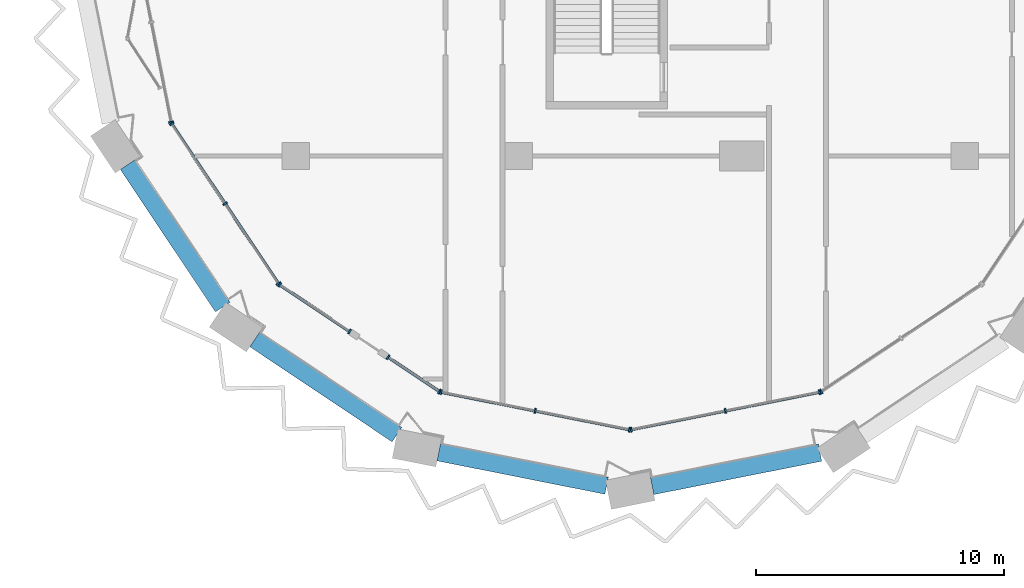
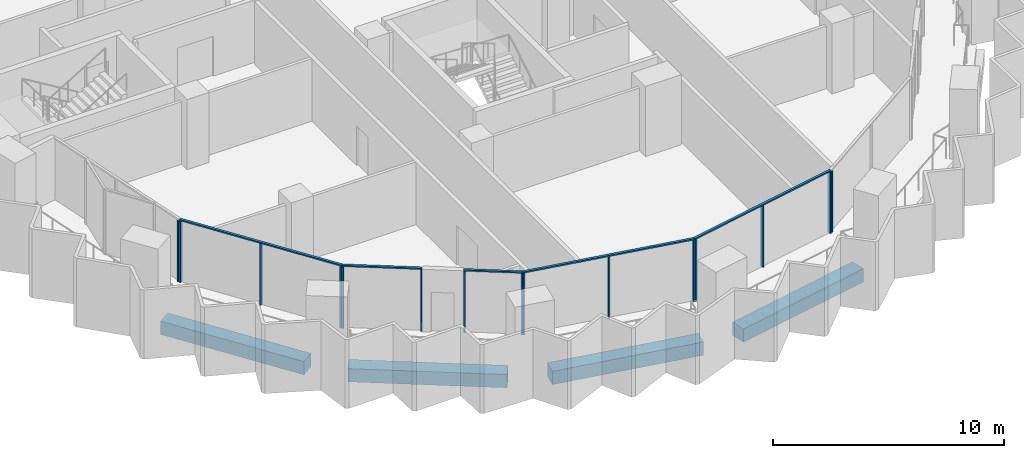
# One storey, part 2 of 19: 20 members, 4 beams, 7 elements without a shape of their own.
"""IFC4 building model written with IfcOpenShell, lengths in metres."""

from ifc_helpers import new_model, si_unit, direction, frame, origin, origin_2d, place, context, subcontext, project, spatial, rectangle, extrude, material, material_profile, profile_set, type_object, element, aggregate, save


model = new_model("IFC4")

# Units and contexts
model_context = context("Model", 3, precision=1e-05, world=origin(), true_north=direction((0.0, 1.0)))
body_context = subcontext(model_context, "Body", "Model", "MODEL_VIEW")
ifc_project = project(units=[si_unit("LENGTHUNIT", "METRE"), si_unit("AREAUNIT", "SQUARE_METRE"), si_unit("VOLUMEUNIT", "CUBIC_METRE"), si_unit("PLANEANGLEUNIT", "RADIAN"), si_unit("MASSUNIT", "GRAM", prefix="KILO")], contexts=[model_context])

# Site, building, storey
site_placement = place(None, origin())
site = spatial("IfcSite", under=ifc_project, at=site_placement, CompositionType="ELEMENT")
building_placement = place(site_placement, origin())
building = spatial("IfcBuilding", under=site, at=building_placement, Name="Hunhe Ridgeline Campus", CompositionType="ELEMENT")
storey_placement = place(building_placement, frame((0.0, 0.0, 219.800048828125)))
storey = spatial("IfcBuildingStorey", under=building, at=storey_placement, Name="L56", CompositionType="ELEMENT", Elevation=219.800048828125)

# Curtain wall, member
ifc_material_1 = material(Name="Aluminium 6063", Category="aluminium")
curtain_wall_type = type_object("IfcCurtainWallType", Name="Curtain wall CW-5", PredefinedType="NOTDEFINED", material=ifc_material_1)
curtain_wall_1_placement = place(storey_placement, origin())
curtain_wall_1 = element("IfcCurtainWall", 1, at=curtain_wall_1_placement, inside=storey, type_object=curtain_wall_type, Name="Curtain wall 01", PredefinedType="NOTDEFINED")
ifc_material_profile_1 = material_profile(ifc_material_1, rectangle(XDim=0.199951171875, YDim=0.070068359375, at=origin_2d()))
ifc_profile_set_1 = profile_set([ifc_material_profile_1], Name="Aluminium 6063")
member_type_1 = type_object("IfcMemberType", Name="CW-5 aluminium mullion", PredefinedType="MULLION", material=ifc_profile_set_1)
member_1_placement = place(storey_placement, frame((3.967529296875, 28.36083984375, 0.0), z_axis=(0.0, 0.0, 1.0), x_axis=(0.980784280831, 0.195095347137, 0.0)))
member_1 = element("IfcMember", 2, at=member_1_placement, type_object=member_type_1, Name="CW-5 mullion 3", PredefinedType="MULLION", context=body_context, shape_type="SweptSolid", body=[
    extrude(rectangle(XDim=0.199951171875, YDim=0.070068359375, at=origin_2d()), origin(), (0.0, 0.0, 1.0), 3.22998046875),
])
aggregate(curtain_wall_1, [member_1])

# Curtain wall, members
curtain_wall_2_placement = place(storey_placement, origin())
curtain_wall_2 = element("IfcCurtainWall", 3, at=curtain_wall_2_placement, inside=storey, type_object=curtain_wall_type, Name="Curtain wall 02", PredefinedType="NOTDEFINED")
member_2_placement = place(storey_placement, frame((3.993896484375, 28.29736328125, 0.0), z_axis=(0.0, 0.0, 1.0), x_axis=(0.831469584522, 0.555570274596, 0.0)))
member_2 = element("IfcMember", 4, at=member_2_placement, type_object=member_type_1, Name="CW-5 mullion 1", PredefinedType="MULLION", context=body_context, shape_type="SweptSolid", body=[
    extrude(rectangle(XDim=0.199951171875, YDim=0.070068359375, at=origin_2d()), origin(), (0.0, 0.0, 1.0), 3.22998046875),
])
member_3_placement = place(storey_placement, frame((6.147705078125, 25.07373046875, 0.0), z_axis=(0.0, 0.0, 1.0), x_axis=(0.831469584522, 0.555570274596, 0.0)))
member_3 = element("IfcMember", 5, at=member_3_placement, type_object=member_type_1, Name="CW-5 mullion 2", PredefinedType="MULLION", context=body_context, shape_type="SweptSolid", body=[
    extrude(rectangle(XDim=0.199951171875, YDim=0.070068359375, at=origin_2d()), origin(), (0.0, 0.0, 1.0), 3.22998046875),
])
member_4_placement = place(storey_placement, frame((8.3017578125, 21.850341796875, 0.0), z_axis=(0.0, 0.0, 1.0), x_axis=(0.831469584522, 0.555570274596, 0.0)))
member_4 = element("IfcMember", 6, at=member_4_placement, type_object=member_type_1, Name="CW-5 mullion 3", PredefinedType="MULLION", context=body_context, shape_type="SweptSolid", body=[
    extrude(rectangle(XDim=0.199951171875, YDim=0.070068359375, at=origin_2d()), origin(), (0.0, 0.0, 1.0), 3.22998046875),
])

curtain_wall_3_placement = place(storey_placement, origin())
curtain_wall_3 = element("IfcCurtainWall", 7, at=curtain_wall_3_placement, inside=storey, type_object=curtain_wall_type, Name="Curtain wall 03", PredefinedType="NOTDEFINED")
member_5_placement = place(storey_placement, frame((8.350341796875, 21.8017578125, 0.0), z_axis=(0.0, 0.0, 1.0), x_axis=(0.555570257501, 0.831469595944, 0.0)))
member_5 = element("IfcMember", 8, at=member_5_placement, type_object=member_type_1, Name="CW-5 mullion 1", PredefinedType="MULLION", context=body_context, shape_type="SweptSolid", body=[
    extrude(rectangle(XDim=0.199951171875, YDim=0.070068359375, at=origin_2d()), origin(), (0.0, 0.0, 1.0), 3.22998046875),
])
member_6_placement = place(storey_placement, frame((11.17041015625, 19.917236328125, 0.0), z_axis=(0.0, 0.0, 1.0), x_axis=(0.555570257501, 0.831469595944, 0.0)))
member_6 = element("IfcMember", 9, at=member_6_placement, type_object=member_type_1, Name="CW-5 mullion 2", PredefinedType="MULLION", context=body_context, shape_type="SweptSolid", body=[
    extrude(rectangle(XDim=0.199951171875, YDim=0.070068359375, at=origin_2d()), origin(), (0.0, 0.0, 1.0), 3.22998046875),
])

curtain_wall_4_placement = place(storey_placement, origin())
curtain_wall_4 = element("IfcCurtainWall", 10, at=curtain_wall_4_placement, inside=storey, type_object=curtain_wall_type, Name="Curtain wall 04", PredefinedType="NOTDEFINED")
member_7_placement = place(storey_placement, frame((12.725341796875, 18.87841796875, 0.0), z_axis=(0.0, 0.0, 1.0), x_axis=(0.555570385598, 0.831469510353, 0.0)))
member_7 = element("IfcMember", 11, at=member_7_placement, type_object=member_type_1, Name="CW-5 mullion 1", PredefinedType="MULLION", context=body_context, shape_type="SweptSolid", body=[
    extrude(rectangle(XDim=0.199951171875, YDim=0.070068359375, at=origin_2d()), origin(), (0.0, 0.0, 1.0), 3.22998046875),
])
member_8_placement = place(storey_placement, frame((14.79736328125, 17.493896484375, 0.0), z_axis=(0.0, 0.0, 1.0), x_axis=(0.555570385598, 0.831469510353, 0.0)))
member_8 = element("IfcMember", 12, at=member_8_placement, type_object=member_type_1, Name="CW-5 mullion 2", PredefinedType="MULLION", context=body_context, shape_type="SweptSolid", body=[
    extrude(rectangle(XDim=0.199951171875, YDim=0.070068359375, at=origin_2d()), origin(), (0.0, 0.0, 1.0), 3.22998046875),
])

curtain_wall_5_placement = place(storey_placement, origin())
curtain_wall_5 = element("IfcCurtainWall", 13, at=curtain_wall_5_placement, inside=storey, type_object=curtain_wall_type, Name="Curtain wall 05", PredefinedType="NOTDEFINED")
member_9_placement = place(storey_placement, frame((14.86083984375, 17.467529296875, 0.0), z_axis=(0.0, 0.0, 1.0), x_axis=(0.195090347539, 0.980785275326, 0.0)))
member_9 = element("IfcMember", 14, at=member_9_placement, type_object=member_type_1, Name="CW-5 mullion 1", PredefinedType="MULLION", context=body_context, shape_type="SweptSolid", body=[
    extrude(rectangle(XDim=0.199951171875, YDim=0.070068359375, at=origin_2d()), origin(), (0.0, 0.0, 1.0), 3.22998046875),
])
member_10_placement = place(storey_placement, frame((18.663330078125, 16.711181640625, 0.0), z_axis=(0.0, 0.0, 1.0), x_axis=(0.195090347539, 0.980785275326, 0.0)))
member_10 = element("IfcMember", 15, at=member_10_placement, type_object=member_type_1, Name="CW-5 mullion 2", PredefinedType="MULLION", context=body_context, shape_type="SweptSolid", body=[
    extrude(rectangle(XDim=0.199951171875, YDim=0.070068359375, at=origin_2d()), origin(), (0.0, 0.0, 1.0), 3.22998046875),
])
member_11_placement = place(storey_placement, frame((22.465576171875, 15.954833984375, 0.0), z_axis=(0.0, 0.0, 1.0), x_axis=(0.195090347539, 0.980785275326, 0.0)))
member_11 = element("IfcMember", 16, at=member_11_placement, type_object=member_type_1, Name="CW-5 mullion 3", PredefinedType="MULLION", context=body_context, shape_type="SweptSolid", body=[
    extrude(rectangle(XDim=0.199951171875, YDim=0.070068359375, at=origin_2d()), origin(), (0.0, 0.0, 1.0), 3.22998046875),
])

curtain_wall_6_placement = place(storey_placement, origin())
curtain_wall_6 = element("IfcCurtainWall", 17, at=curtain_wall_6_placement, inside=storey, type_object=curtain_wall_type, Name="Curtain wall 06", PredefinedType="NOTDEFINED")
member_12_placement = place(storey_placement, frame((22.534423828125, 15.954833984375, 0.0), z_axis=(0.0, 0.0, 1.0), x_axis=(-0.195090347539, 0.980785275326, 0.0)))
member_12 = element("IfcMember", 18, at=member_12_placement, type_object=member_type_1, Name="CW-5 mullion 1", PredefinedType="MULLION", context=body_context, shape_type="SweptSolid", body=[
    extrude(rectangle(XDim=0.199951171875, YDim=0.070068359375, at=origin_2d()), origin(), (0.0, 0.0, 1.0), 3.22998046875),
])
member_13_placement = place(storey_placement, frame((26.336669921875, 16.711181640625, 0.0), z_axis=(0.0, 0.0, 1.0), x_axis=(-0.195090347539, 0.980785275326, 0.0)))
member_13 = element("IfcMember", 19, at=member_13_placement, type_object=member_type_1, Name="CW-5 mullion 2", PredefinedType="MULLION", context=body_context, shape_type="SweptSolid", body=[
    extrude(rectangle(XDim=0.199951171875, YDim=0.070068359375, at=origin_2d()), origin(), (0.0, 0.0, 1.0), 3.22998046875),
])
member_14_placement = place(storey_placement, frame((30.13916015625, 17.467529296875, 0.0), z_axis=(0.0, 0.0, 1.0), x_axis=(-0.195090347539, 0.980785275326, 0.0)))
member_14 = element("IfcMember", 20, at=member_14_placement, type_object=member_type_1, Name="CW-5 mullion 3", PredefinedType="MULLION", context=body_context, shape_type="SweptSolid", body=[
    extrude(rectangle(XDim=0.199951171875, YDim=0.070068359375, at=origin_2d()), origin(), (0.0, 0.0, 1.0), 3.22998046875),
])

# Curtain wall, member
curtain_wall_7_placement = place(storey_placement, origin())
curtain_wall_7 = element("IfcCurtainWall", 21, at=curtain_wall_7_placement, inside=storey, type_object=curtain_wall_type, Name="Curtain wall 07", PredefinedType="NOTDEFINED")
member_15_placement = place(storey_placement, frame((30.20263671875, 17.493896484375, 0.0), z_axis=(0.0, 0.0, 1.0), x_axis=(-0.555570274596, 0.831469584522, 0.0)))
member_15 = element("IfcMember", 22, at=member_15_placement, type_object=member_type_1, Name="CW-5 mullion 1", PredefinedType="MULLION", context=body_context, shape_type="SweptSolid", body=[
    extrude(rectangle(XDim=0.199951171875, YDim=0.070068359375, at=origin_2d()), origin(), (0.0, 0.0, 1.0), 3.22998046875),
])
aggregate(curtain_wall_7, [member_15])

# Member
ifc_material_profile_2 = material_profile(ifc_material_1, rectangle(XDim=0.1201171875, YDim=0.070068359375, at=origin_2d()))
ifc_profile_set_2 = profile_set([ifc_material_profile_2], Name="Aluminium 6063")
member_type_2 = type_object("IfcMemberType", Name="CW-5 aluminium transom", PredefinedType="USERDEFINED", material=ifc_profile_set_2)
member_16_placement = place(storey_placement, frame((3.974365234375, 28.326416015625, 3.264892578125), z_axis=(0.5555640203, -0.831473763475, 0.0), x_axis=(0.831473763475, 0.5555640203, 0.0)))
member_16 = element("IfcMember", 23, at=member_16_placement, type_object=member_type_2, Name="CW-5 transom 1", ObjectType="TRANSOM", PredefinedType="USERDEFINED", context=body_context, shape_type="SweptSolid", body=[
    extrude(rectangle(XDim=0.1201171875, YDim=0.070068359375, at=origin_2d()), origin(), (0.0, 0.0, 1.0), 7.823974609375),
])

aggregate(curtain_wall_2, [member_16, member_2, member_3, member_4])

member_17_placement = place(storey_placement, frame((8.321044921875, 21.821044921875, 3.264892578125), z_axis=(0.831485714606, -0.555546133463, 0.0), x_axis=(0.555546133463, 0.831485714606, 0.0)))
member_17 = element("IfcMember", 24, at=member_17_placement, type_object=member_type_2, Name="CW-5 transom 1", ObjectType="TRANSOM", PredefinedType="USERDEFINED", context=body_context, shape_type="SweptSolid", body=[
    extrude(rectangle(XDim=0.1201171875, YDim=0.070068359375, at=origin_2d()), origin(), (0.0, 0.0, 1.0), 3.462158203125),
])

aggregate(curtain_wall_3, [member_17, member_5, member_6])

member_18_placement = place(storey_placement, frame((12.6962890625, 18.897705078125, 3.264892578125), z_axis=(0.831463388334, -0.555579547735, 0.0), x_axis=(0.555579547735, 0.831463388334, 0.0)))
member_18 = element("IfcMember", 25, at=member_18_placement, type_object=member_type_2, Name="CW-5 transom 1", ObjectType="TRANSOM", PredefinedType="USERDEFINED", context=body_context, shape_type="SweptSolid", body=[
    extrude(rectangle(XDim=0.1201171875, YDim=0.070068359375, at=origin_2d()), origin(), (0.0, 0.0, 1.0), 2.56201171875),
])

aggregate(curtain_wall_4, [member_18, member_7, member_8])

member_19_placement = place(storey_placement, frame((14.826416015625, 17.474365234375, 3.264892578125), z_axis=(0.980785367689, -0.195089883198, 0.0), x_axis=(0.195089883198, 0.980785367689, 0.0)))
member_19 = element("IfcMember", 26, at=member_19_placement, type_object=member_type_2, Name="CW-5 transom 1", ObjectType="TRANSOM", PredefinedType="USERDEFINED", context=body_context, shape_type="SweptSolid", body=[
    extrude(rectangle(XDim=0.1201171875, YDim=0.070068359375, at=origin_2d()), origin(), (0.0, 0.0, 1.0), 7.823974609375),
])

aggregate(curtain_wall_5, [member_19, member_9, member_10, member_11])

member_20_placement = place(storey_placement, frame((22.5, 15.947998046875, 3.264892578125), z_axis=(0.980785367689, 0.195089883198, 0.0), x_axis=(-0.195089883198, 0.980785367689, 0.0)))
member_20 = element("IfcMember", 27, at=member_20_placement, type_object=member_type_2, Name="CW-5 transom 1", ObjectType="TRANSOM", PredefinedType="USERDEFINED", context=body_context, shape_type="SweptSolid", body=[
    extrude(rectangle(XDim=0.1201171875, YDim=0.070068359375, at=origin_2d()), origin(), (0.0, 0.0, 1.0), 7.823974609375),
])

aggregate(curtain_wall_6, [member_20, member_12, member_13, member_14])

# Beams
ifc_material_2 = material(Name="Concrete C50", Category="concrete")
ifc_material_profile_3 = material_profile(ifc_material_2, rectangle(XDim=0.699951171875, YDim=0.699951171875, at=origin_2d()))
ifc_profile_set_3 = profile_set([ifc_material_profile_3], Name="Concrete C50")
beam_type = type_object("IfcBeamType", Name="RC spandrel beam 700x700 Concrete C50", PredefinedType="SPANDREL", material=ifc_profile_set_3)
for number, where, z_axis, x_axis, name in (
    (28, (2.212646484375, 26.641357421875, -0.60009765625), (0.55557295, -0.831467796868, 0.0), (0.831467796868, 0.55557295, 0.0), "Spandrel beam B3-2 L56"),
    (29, (7.33837890625, 19.590087890625, -0.60009765625), (0.831467796868, -0.55557295, 0.0), (0.55557295, 0.831467796868, 0.0), "Spandrel beam B3-3 L56"),
    (30, (14.772216796875, 15.037109375, -0.60009765625), (0.980784124029, -0.195096135414, 0.0), (0.195096135414, 0.980784124029, 0.0), "Spandrel beam B3-4 L56"),
    (31, (23.3828125, 13.675537109375, -0.60009765625), (0.980782778209, 0.195102900975, 0.0), (-0.195102900975, 0.980782778209, 0.0), "Spandrel beam B3-5 L56"),
):
    element("IfcBeam", number, at=place(storey_placement, frame(where, z_axis=z_axis, x_axis=x_axis)), inside=storey, type_object=beam_type, Name=name, PredefinedType="SPANDREL", context=body_context, shape_type="SweptSolid", body=[
        extrude(rectangle(XDim=0.699951171875, YDim=0.699951171875, at=origin_2d()), origin(), (0.0, 0.0, 1.0), 6.905029296875),
    ])

save(model, "model.ifc")
